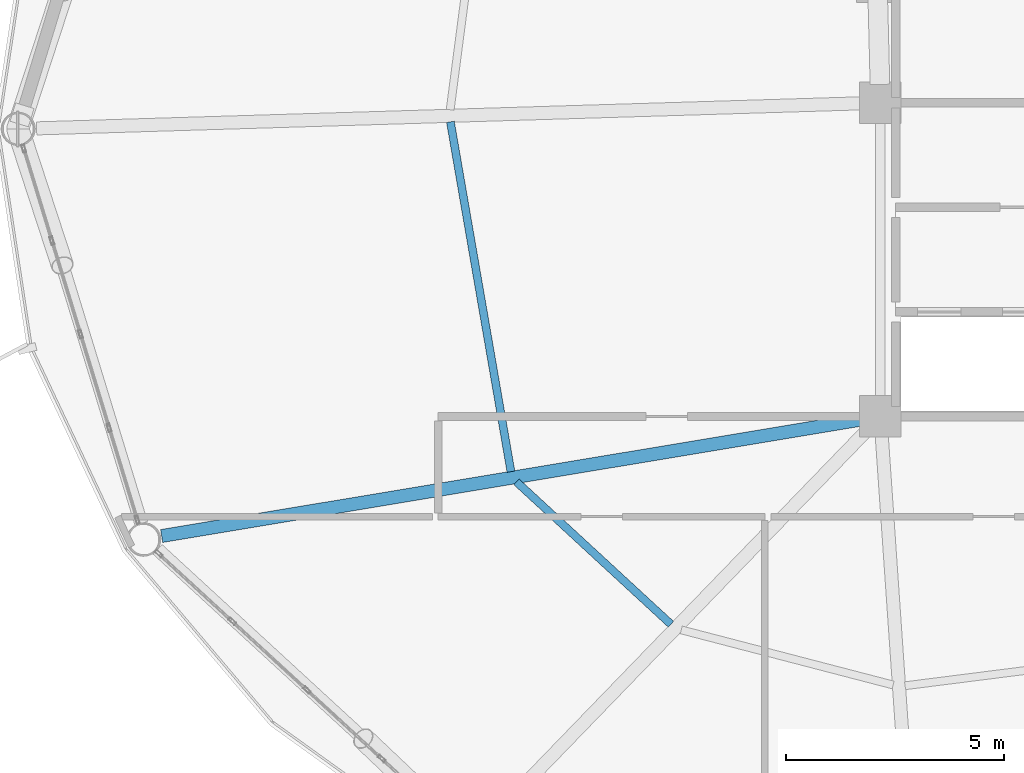
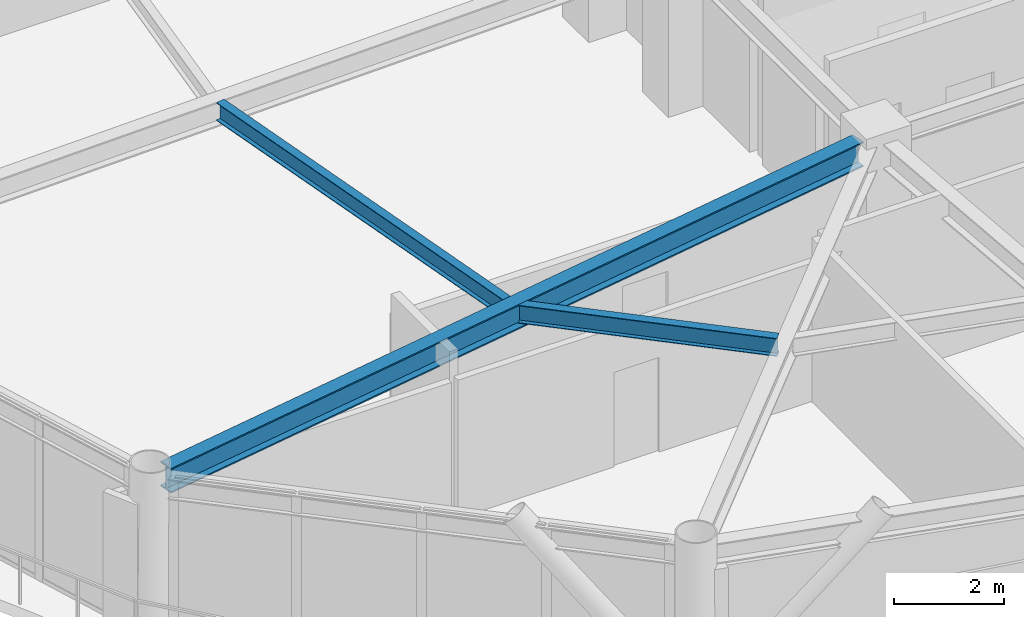
# One storey, part 6 of 25: 3 beams.
"""IFC4 building model written with IfcOpenShell, lengths in metres."""

from ifc_helpers import new_model, si_unit, direction, frame, origin, origin_2d, place, context, subcontext, project, spatial, i_section, extrude, material, material_profile, profile_set, type_object, element, save


model = new_model("IFC4")

# Units and contexts
model_context = context("Model", 3, precision=1e-05, world=origin(), true_north=direction((0.0, 1.0)))
body_context = subcontext(model_context, "Body", "Model", "MODEL_VIEW")
ifc_project = project(units=[si_unit("LENGTHUNIT", "METRE"), si_unit("AREAUNIT", "SQUARE_METRE"), si_unit("VOLUMEUNIT", "CUBIC_METRE"), si_unit("PLANEANGLEUNIT", "RADIAN"), si_unit("MASSUNIT", "GRAM", prefix="KILO")], contexts=[model_context])

# Site, building, storey
site_placement = place(None, origin())
site = spatial("IfcSite", under=ifc_project, at=site_placement, CompositionType="ELEMENT")
building_placement = place(site_placement, origin())
building = spatial("IfcBuilding", under=site, at=building_placement, Name="Varnakorn Sky Granary", CompositionType="ELEMENT")
storey_placement = place(building_placement, frame((0.0, 0.0, 157.800048828125)))
storey = spatial("IfcBuildingStorey", under=building, at=storey_placement, Name="L39", CompositionType="ELEMENT", Elevation=157.800048828125)

# Beams
ifc_material = material(Name="Steel S355JR", Category="steel")
ifc_material_profile_1 = material_profile(ifc_material, i_section(OverallWidth=0.300048828125, OverallDepth=0.550048828125, WebThickness=0.014892578125, FlangeThickness=0.029052734375, at=origin_2d()), Name="HE 550 B")
ifc_profile_set_1 = profile_set([ifc_material_profile_1], Name="Steel S355JR")
beam_type_1 = type_object("IfcBeamType", Name="BM-RAD-Z3", PredefinedType="BEAM", material=ifc_profile_set_1)
beam_1_placement = place(storey_placement, frame((-2.764404296875, -6.6689453125, 3.364990234375), z_axis=(-0.986438405469, -0.164131874466, 0.0), x_axis=(0.164131874466, -0.986438405469, 0.0)))
element("IfcBeam", 1, at=beam_1_placement, inside=storey, type_object=beam_type_1, Name="Radial Floor Girder RG08 L39", PredefinedType="BEAM", context=body_context, shape_type="SweptSolid", body=[
    extrude(i_section(OverallWidth=0.300048828125, OverallDepth=0.550048828125, WebThickness=0.014892578125, FlangeThickness=0.029052734375, at=origin_2d()), origin(), (0.0, 0.0, 1.0), 16.30419921875),
])
ifc_material_profile_2 = material_profile(ifc_material, i_section(OverallWidth=0.179931640625, OverallDepth=0.39990234375, WebThickness=0.008544921875, FlangeThickness=0.013427734375, at=origin_2d()), Name="IPE 400")
ifc_profile_set_2 = profile_set([ifc_material_profile_2], Name="Steel S355JR")
beam_type_2 = type_object("IfcBeamType", Name="BM-SEC-Z3", PredefinedType="BEAM", material=ifc_profile_set_2)
beam_2_placement = place(storey_placement, frame((-12.219482421875, 0.1611328125, 3.43994140625), z_axis=(0.170521855987, -0.985353894107, 0.0), x_axis=(0.985353894107, 0.170521855987, 0.0)))
element("IfcBeam", 2, at=beam_2_placement, inside=storey, type_object=beam_type_2, Name="Secondary Floor Chord Beam MSB07 L39", PredefinedType="BEAM", context=body_context, shape_type="SweptSolid", body=[
    extrude(i_section(OverallWidth=0.179931640625, OverallDepth=0.39990234375, WebThickness=0.008544921875, FlangeThickness=0.013427734375, at=origin_2d()), origin(), (0.0, 0.0, 1.0), 8.1494140625),
])
beam_3_placement = place(storey_placement, frame((-10.702880859375, -8.101806640625, 3.43994140625), z_axis=(0.735214942345, -0.677834042043, 0.0), x_axis=(0.677834042043, 0.735214942345, 0.0)))
element("IfcBeam", 3, at=beam_3_placement, inside=storey, type_object=beam_type_2, Name="Secondary Floor Chord Beam MSB08 L39", PredefinedType="BEAM", context=body_context, shape_type="SweptSolid", body=[
    extrude(i_section(OverallWidth=0.179931640625, OverallDepth=0.39990234375, WebThickness=0.008544921875, FlangeThickness=0.013427734375, at=origin_2d()), origin(), (0.0, 0.0, 1.0), 4.820556640625),
])

save(model, "model.ifc")
